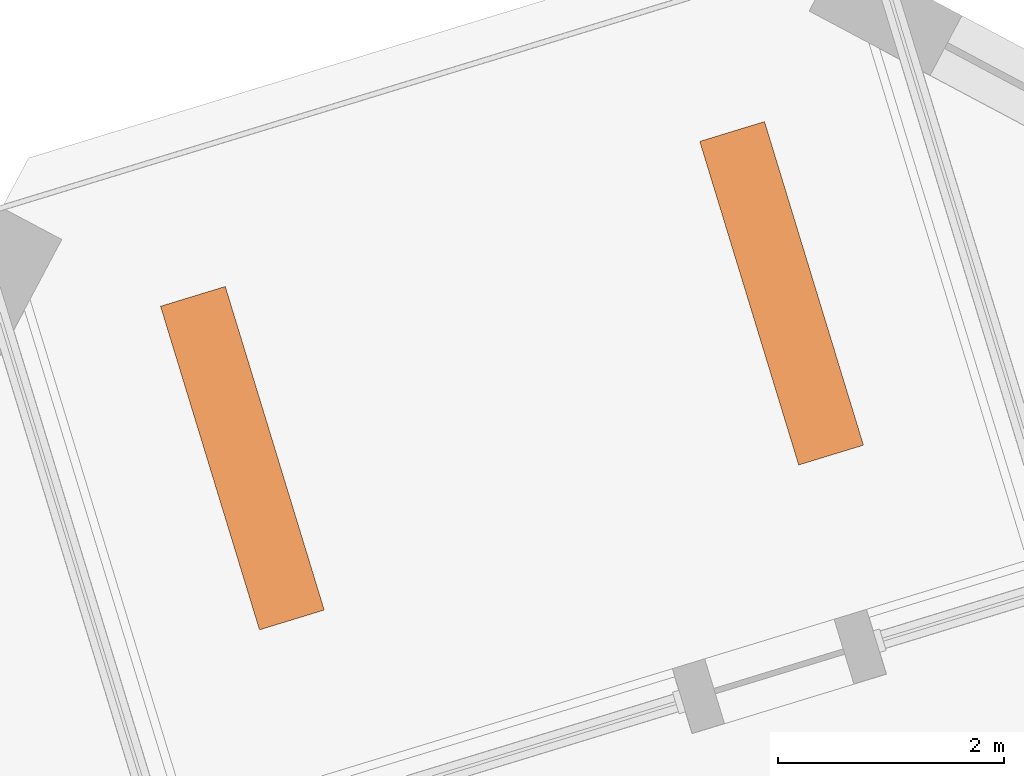
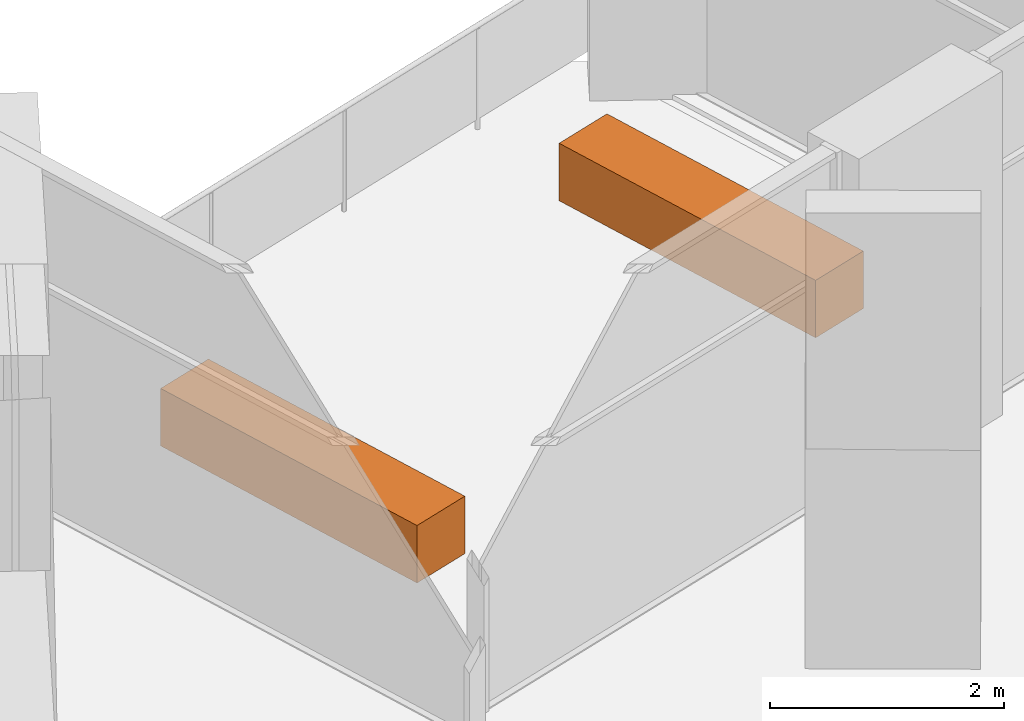
# One storey, part 13 of 13: 2 proxies.
"""IFC4 building model written with IfcOpenShell, lengths in metres."""

from ifc_helpers import new_model, si_unit, direction, frame, origin, origin_2d, place, context, subcontext, project, spatial, rectangle, extrude, element, save


model = new_model("IFC4")

# Units and contexts
model_context = context("Model", 3, precision=1e-05, world=origin(), true_north=direction((0.0, 1.0)))
body_context = subcontext(model_context, "Body", "Model", "MODEL_VIEW")
ifc_project = project(units=[si_unit("LENGTHUNIT", "METRE"), si_unit("AREAUNIT", "SQUARE_METRE"), si_unit("VOLUMEUNIT", "CUBIC_METRE"), si_unit("PLANEANGLEUNIT", "RADIAN"), si_unit("MASSUNIT", "GRAM", prefix="KILO")], contexts=[model_context])

# Site, building, storey
site_placement = place(None, origin())
site = spatial("IfcSite", under=ifc_project, at=site_placement, CompositionType="ELEMENT")
building_placement = place(site_placement, origin())
building = spatial("IfcBuilding", under=site, at=building_placement, Name="Dilmun Exchange Tower", CompositionType="ELEMENT")
storey_placement = place(building_placement, frame((0.0, 0.0, 274.89990234375)))
storey = spatial("IfcBuildingStorey", under=building, at=storey_placement, Name="L65", CompositionType="ELEMENT", Elevation=274.89990234375)

# Proxies
for number, where, z_axis, x_axis, name in (
    (1, (-2.510986328125, 32.000244140625, 0.0), (0.0, 0.0, 1.0), (-0.292371704723, 0.956304755963, 0.0), "PLANTER Date palm L65.1"),
    (2, (-7.29248046875, 30.538330078125, 0.0), (0.0, 0.0, 1.0), (-0.292371704723, 0.956304755963, 0.0), "PLANTER Date palm L65.2"),
):
    element("IfcBuildingElementProxy", number, at=place(storey_placement, frame(where, z_axis=z_axis, x_axis=x_axis)), inside=storey, Name=name, ObjectType="PLANTER", PredefinedType="USERDEFINED", context=body_context, shape_type="SweptSolid", body=[
        extrude(rectangle(XDim=3.0, YDim=0.60009765625, at=origin_2d()), origin(), (0.0, 0.0, 1.0), 0.60009765625),
    ])

save(model, "model.ifc")
